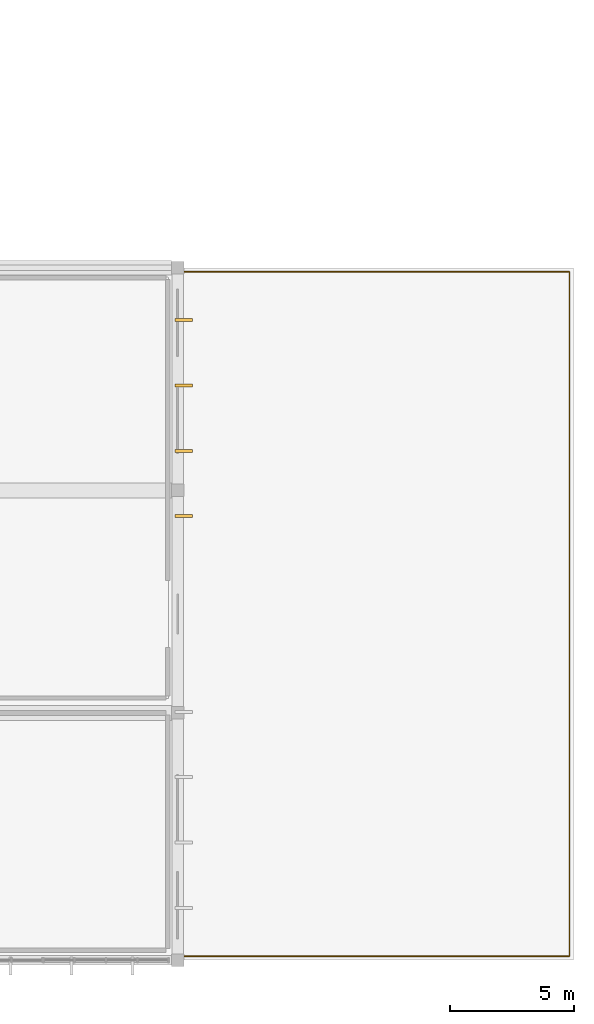
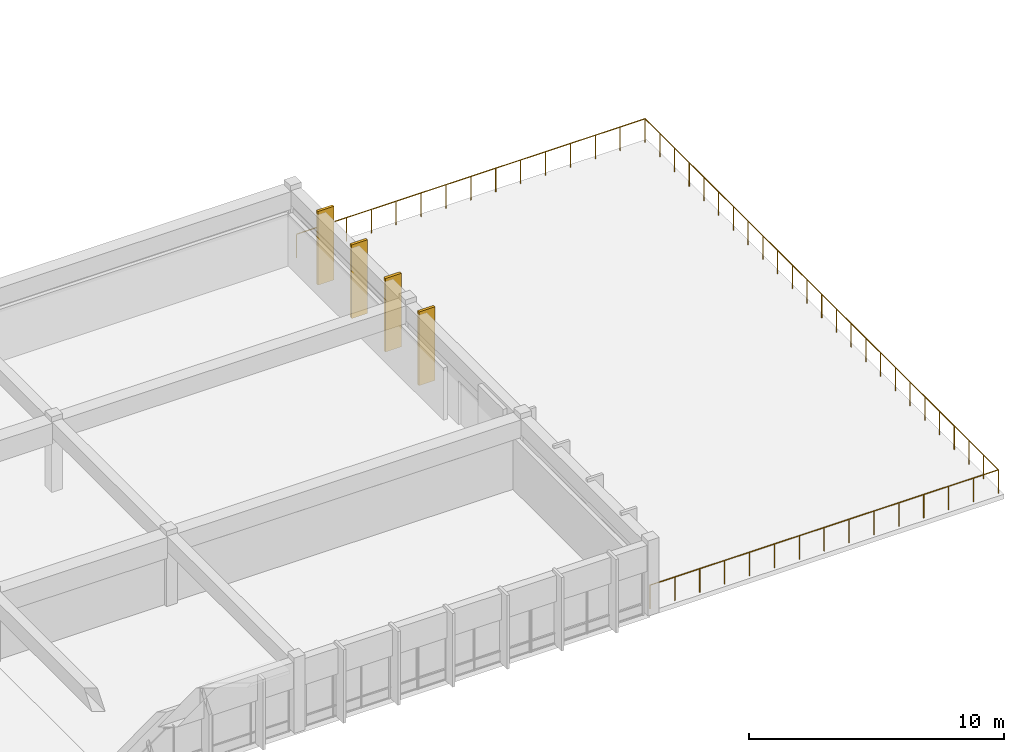
# One storey, part 33 of 33: 4 coverings, 1 railing.
"""IFC4 building model written with IfcOpenShell, lengths in metres."""

from ifc_helpers import new_model, si_unit, direction, frame, origin, origin_2d, place, context, subcontext, project, spatial, rectangle, circle, extrude, material, layer, layer_set, type_object, element, save


model = new_model("IFC4")

# Units and contexts
model_context = context("Model", 3, precision=1e-05, world=origin(), true_north=direction((0.0, 1.0)))
body_context = subcontext(model_context, "Body", "Model", "MODEL_VIEW")
ifc_project = project(units=[si_unit("LENGTHUNIT", "METRE"), si_unit("AREAUNIT", "SQUARE_METRE"), si_unit("VOLUMEUNIT", "CUBIC_METRE"), si_unit("PLANEANGLEUNIT", "RADIAN"), si_unit("MASSUNIT", "GRAM", prefix="KILO")], contexts=[model_context])

# Site, building, storey
site_placement = place(None, origin())
site = spatial("IfcSite", under=ifc_project, at=site_placement, CompositionType="ELEMENT")
building_placement = place(site_placement, origin())
building = spatial("IfcBuilding", under=site, at=building_placement, Name="Larkveld Mobility Hub", CompositionType="ELEMENT")
storey_placement = place(building_placement, frame((0.0, 0.0, 15.60009765625)))
storey = spatial("IfcBuildingStorey", under=building, at=storey_placement, Name="L04", CompositionType="ELEMENT", Elevation=15.60009765625)

# Coverings
ifc_material_1 = material(Name="Precast concrete C50/60", Category="concrete")
ifc_layer = layer(ifc_material_1, 0.1201171875, Name="Precast concrete C50/60", Category="concrete")
ifc_layer_set = layer_set([ifc_layer], Name="Precast concrete C50/60")
covering_type = type_object("IfcCoveringType", Name="COV-QSL-V01", PredefinedType="CLADDING", material=ifc_layer_set)
for number, where, z_axis, x_axis, name in (
    (1, (168.239990234375, 17.9599609375, -0.02001953125), (0.0, 0.0, 1.0), (0.0, 1.0, 0.0), "Precast Quebra-Sol Vertical Fin QSV-381"),
    (2, (168.239990234375, 20.60009765625, -0.02001953125), (0.0, 0.0, 1.0), (0.0, 1.0, 0.0), "Precast Quebra-Sol Vertical Fin QSV-382"),
    (3, (168.239990234375, 23.239990234375, -0.02001953125), (0.0, 0.0, 1.0), (0.0, 1.0, 0.0), "Precast Quebra-Sol Vertical Fin QSV-383"),
    (4, (168.239990234375, 25.8798828125, -0.02001953125), (0.0, 0.0, 1.0), (0.0, 1.0, 0.0), "Precast Quebra-Sol Vertical Fin QSV-384"),
):
    element("IfcCovering", number, at=place(storey_placement, frame(where, z_axis=z_axis, x_axis=x_axis)), inside=storey, type_object=covering_type, Name=name, PredefinedType="CLADDING", context=body_context, shape_type="SweptSolid", body=[
        extrude(rectangle(XDim=0.1201171875, YDim=0.719970703125, at=origin_2d()), origin(), (0.0, 0.0, 1.0), 3.52001953125),
    ])

# Railing
ifc_material_2 = material(Name="Anodized aluminium 6063-T6 balustrade", Category="aluminium")
railing_type = type_object("IfcRailingType", Name="RL-GRD-1150", PredefinedType="GUARDRAIL", material=ifc_material_2)
railing_placement = place(storey_placement, frame((168.080078125, 0.159912109375, 0.0)))
element("IfcRailing", 5, at=railing_placement, inside=storey, type_object=railing_type, Name="Service Wing L04 East Terrace Guard L04-054", PredefinedType="GUARDRAIL", context=body_context, shape_type="SweptSolid", body=[
    extrude(circle(Radius=0.02392578125, at=origin_2d()), frame((0.0, 0.0, 1.1259765625), z_axis=(1.0, 0.0, 0.0), x_axis=(0.0, 1.0, 0.0)), (0.0, 0.0, 1.0), 15.760009765625),
    extrude(circle(Radius=0.02392578125, at=origin_2d()), frame((15.760009765625, 0.0, 1.1259765625), z_axis=(0.0, 1.0, 0.0), x_axis=(-1.0, 0.0, 0.0)), (0.0, 0.0, 1.0), 27.68017578125),
    extrude(circle(Radius=0.02392578125, at=origin_2d()), frame((15.760009765625, 27.68017578125, 1.1259765625), z_axis=(-1.0, 0.0, 0.0), x_axis=(0.0, -1.0, 0.0)), (0.0, 0.0, 1.0), 15.760009765625),
    extrude(circle(Radius=0.02099609375, at=origin_2d()), origin(), (0.0, 0.0, 1.0), 1.101806640625),
    extrude(circle(Radius=0.02099609375, at=origin_2d()), frame((1.125732421875, 0.0, 0.0)), (0.0, 0.0, 1.0), 1.101806640625),
    extrude(circle(Radius=0.02099609375, at=origin_2d()), frame((2.25146484375, 0.0, 0.0)), (0.0, 0.0, 1.0), 1.101806640625),
    extrude(circle(Radius=0.02099609375, at=origin_2d()), frame((3.377197265625, 0.0, 0.0)), (0.0, 0.0, 1.0), 1.101806640625),
    extrude(circle(Radius=0.02099609375, at=origin_2d()), frame((4.5029296875, 0.0, 0.0)), (0.0, 0.0, 1.0), 1.101806640625),
    extrude(circle(Radius=0.02099609375, at=origin_2d()), frame((5.628662109375, 0.0, 0.0)), (0.0, 0.0, 1.0), 1.101806640625),
    extrude(circle(Radius=0.02099609375, at=origin_2d()), frame((6.75439453125, 0.0, 0.0)), (0.0, 0.0, 1.0), 1.101806640625),
    extrude(circle(Radius=0.02099609375, at=origin_2d()), frame((7.8798828125, 0.0, 0.0)), (0.0, 0.0, 1.0), 1.101806640625),
    extrude(circle(Radius=0.02099609375, at=origin_2d()), frame((9.005615234375, 0.0, 0.0)), (0.0, 0.0, 1.0), 1.101806640625),
    extrude(circle(Radius=0.02099609375, at=origin_2d()), frame((10.13134765625, 0.0, 0.0)), (0.0, 0.0, 1.0), 1.101806640625),
    extrude(circle(Radius=0.02099609375, at=origin_2d()), frame((11.257080078125, 0.0, 0.0)), (0.0, 0.0, 1.0), 1.101806640625),
    extrude(circle(Radius=0.02099609375, at=origin_2d()), frame((12.3828125, 0.0, 0.0)), (0.0, 0.0, 1.0), 1.101806640625),
    extrude(circle(Radius=0.02099609375, at=origin_2d()), frame((13.508544921875, 0.0, 0.0)), (0.0, 0.0, 1.0), 1.101806640625),
    extrude(circle(Radius=0.02099609375, at=origin_2d()), frame((14.63427734375, 0.0, 0.0)), (0.0, 0.0, 1.0), 1.101806640625),
    extrude(circle(Radius=0.02099609375, at=origin_2d()), frame((15.760009765625, 0.0, 0.0)), (0.0, 0.0, 1.0), 1.101806640625),
    extrude(circle(Radius=0.02099609375, at=origin_2d()), frame((15.760009765625, 1.1533203125, 0.0)), (0.0, 0.0, 1.0), 1.101806640625),
    extrude(circle(Radius=0.02099609375, at=origin_2d()), frame((15.760009765625, 2.306640625, 0.0)), (0.0, 0.0, 1.0), 1.101806640625),
    extrude(circle(Radius=0.02099609375, at=origin_2d()), frame((15.760009765625, 3.4599609375, 0.0)), (0.0, 0.0, 1.0), 1.101806640625),
    extrude(circle(Radius=0.02099609375, at=origin_2d()), frame((15.760009765625, 4.61328125, 0.0)), (0.0, 0.0, 1.0), 1.101806640625),
    extrude(circle(Radius=0.02099609375, at=origin_2d()), frame((15.760009765625, 5.7666015625, 0.0)), (0.0, 0.0, 1.0), 1.101806640625),
    extrude(circle(Radius=0.02099609375, at=origin_2d()), frame((15.760009765625, 6.919921875, 0.0)), (0.0, 0.0, 1.0), 1.101806640625),
    extrude(circle(Radius=0.02099609375, at=origin_2d()), frame((15.760009765625, 8.073486328125, 0.0)), (0.0, 0.0, 1.0), 1.101806640625),
    extrude(circle(Radius=0.02099609375, at=origin_2d()), frame((15.760009765625, 9.226806640625, 0.0)), (0.0, 0.0, 1.0), 1.101806640625),
    extrude(circle(Radius=0.02099609375, at=origin_2d()), frame((15.760009765625, 10.380126953125, 0.0)), (0.0, 0.0, 1.0), 1.101806640625),
    extrude(circle(Radius=0.02099609375, at=origin_2d()), frame((15.760009765625, 11.533447265625, 0.0)), (0.0, 0.0, 1.0), 1.101806640625),
    extrude(circle(Radius=0.02099609375, at=origin_2d()), frame((15.760009765625, 12.686767578125, 0.0)), (0.0, 0.0, 1.0), 1.101806640625),
    extrude(circle(Radius=0.02099609375, at=origin_2d()), frame((15.760009765625, 13.840087890625, 0.0)), (0.0, 0.0, 1.0), 1.101806640625),
    extrude(circle(Radius=0.02099609375, at=origin_2d()), frame((15.760009765625, 14.993408203125, 0.0)), (0.0, 0.0, 1.0), 1.101806640625),
    extrude(circle(Radius=0.02099609375, at=origin_2d()), frame((15.760009765625, 16.146728515625, 0.0)), (0.0, 0.0, 1.0), 1.101806640625),
    extrude(circle(Radius=0.02099609375, at=origin_2d()), frame((15.760009765625, 17.300048828125, 0.0)), (0.0, 0.0, 1.0), 1.101806640625),
    extrude(circle(Radius=0.02099609375, at=origin_2d()), frame((15.760009765625, 18.453369140625, 0.0)), (0.0, 0.0, 1.0), 1.101806640625),
    extrude(circle(Radius=0.02099609375, at=origin_2d()), frame((15.760009765625, 19.606689453125, 0.0)), (0.0, 0.0, 1.0), 1.101806640625),
    extrude(circle(Radius=0.02099609375, at=origin_2d()), frame((15.760009765625, 20.76025390625, 0.0)), (0.0, 0.0, 1.0), 1.101806640625),
    extrude(circle(Radius=0.02099609375, at=origin_2d()), frame((15.760009765625, 21.91357421875, 0.0)), (0.0, 0.0, 1.0), 1.101806640625),
    extrude(circle(Radius=0.02099609375, at=origin_2d()), frame((15.760009765625, 23.06689453125, 0.0)), (0.0, 0.0, 1.0), 1.101806640625),
    extrude(circle(Radius=0.02099609375, at=origin_2d()), frame((15.760009765625, 24.22021484375, 0.0)), (0.0, 0.0, 1.0), 1.101806640625),
    extrude(circle(Radius=0.02099609375, at=origin_2d()), frame((15.760009765625, 25.37353515625, 0.0)), (0.0, 0.0, 1.0), 1.101806640625),
    extrude(circle(Radius=0.02099609375, at=origin_2d()), frame((15.760009765625, 26.52685546875, 0.0)), (0.0, 0.0, 1.0), 1.101806640625),
    extrude(circle(Radius=0.02099609375, at=origin_2d()), frame((15.760009765625, 27.68017578125, 0.0)), (0.0, 0.0, 1.0), 1.101806640625),
    extrude(circle(Radius=0.02099609375, at=origin_2d()), frame((14.63427734375, 27.68017578125, 0.0)), (0.0, 0.0, 1.0), 1.101806640625),
    extrude(circle(Radius=0.02099609375, at=origin_2d()), frame((13.508544921875, 27.68017578125, 0.0)), (0.0, 0.0, 1.0), 1.101806640625),
    extrude(circle(Radius=0.02099609375, at=origin_2d()), frame((12.3828125, 27.68017578125, 0.0)), (0.0, 0.0, 1.0), 1.101806640625),
    extrude(circle(Radius=0.02099609375, at=origin_2d()), frame((11.257080078125, 27.68017578125, 0.0)), (0.0, 0.0, 1.0), 1.101806640625),
    extrude(circle(Radius=0.02099609375, at=origin_2d()), frame((10.13134765625, 27.68017578125, 0.0)), (0.0, 0.0, 1.0), 1.101806640625),
    extrude(circle(Radius=0.02099609375, at=origin_2d()), frame((9.005615234375, 27.68017578125, 0.0)), (0.0, 0.0, 1.0), 1.101806640625),
    extrude(circle(Radius=0.02099609375, at=origin_2d()), frame((7.8798828125, 27.68017578125, 0.0)), (0.0, 0.0, 1.0), 1.101806640625),
    extrude(circle(Radius=0.02099609375, at=origin_2d()), frame((6.75439453125, 27.68017578125, 0.0)), (0.0, 0.0, 1.0), 1.101806640625),
    extrude(circle(Radius=0.02099609375, at=origin_2d()), frame((5.628662109375, 27.68017578125, 0.0)), (0.0, 0.0, 1.0), 1.101806640625),
    extrude(circle(Radius=0.02099609375, at=origin_2d()), frame((4.5029296875, 27.68017578125, 0.0)), (0.0, 0.0, 1.0), 1.101806640625),
    extrude(circle(Radius=0.02099609375, at=origin_2d()), frame((3.377197265625, 27.68017578125, 0.0)), (0.0, 0.0, 1.0), 1.101806640625),
    extrude(circle(Radius=0.02099609375, at=origin_2d()), frame((2.25146484375, 27.68017578125, 0.0)), (0.0, 0.0, 1.0), 1.101806640625),
    extrude(circle(Radius=0.02099609375, at=origin_2d()), frame((1.125732421875, 27.68017578125, 0.0)), (0.0, 0.0, 1.0), 1.101806640625),
    extrude(circle(Radius=0.02099609375, at=origin_2d()), frame((0.0, 27.68017578125, 0.0)), (0.0, 0.0, 1.0), 1.101806640625),
])

save(model, "model.ifc")
